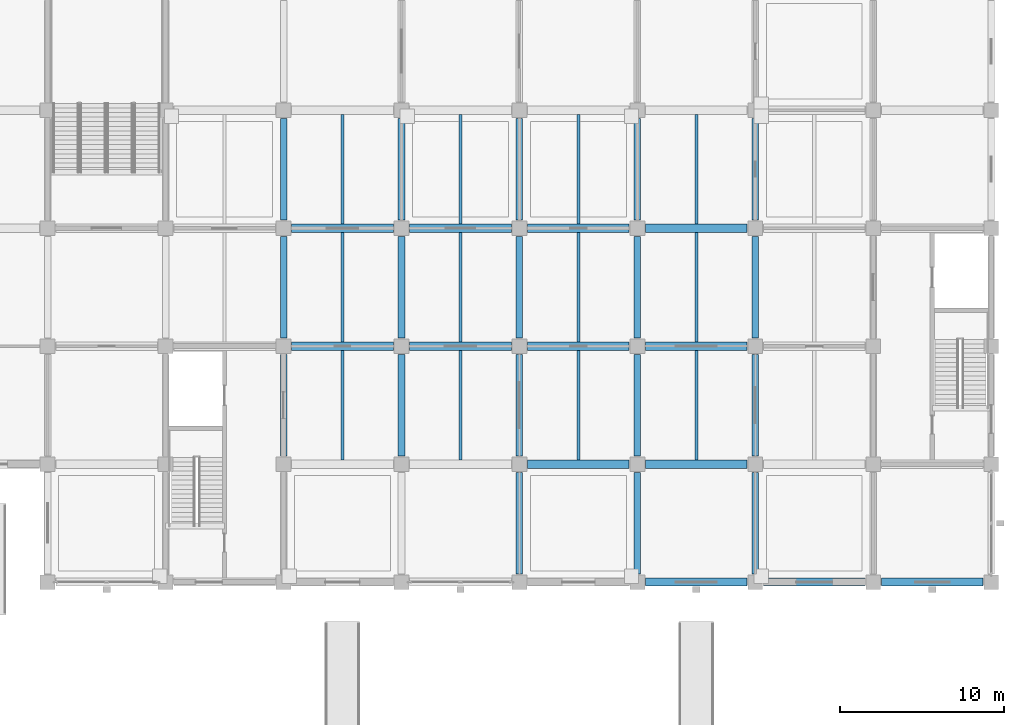
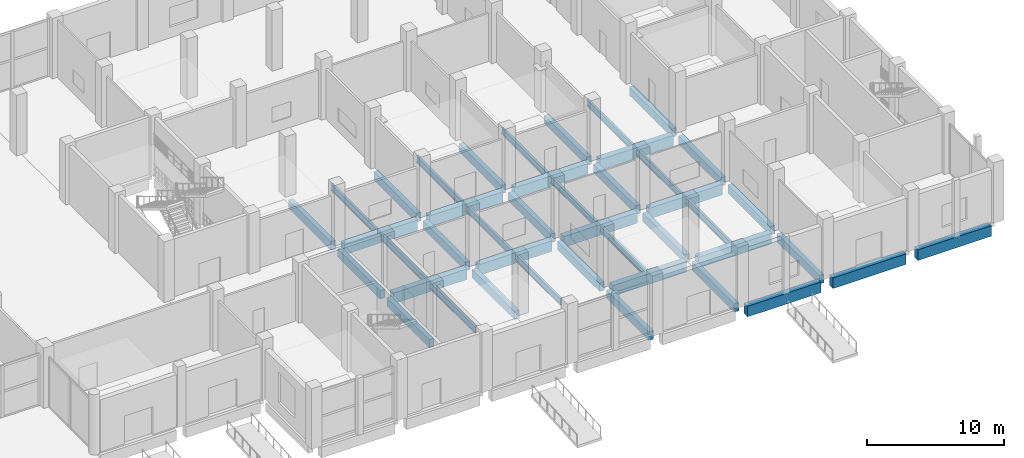
# One storey, part 34 of 70: 43 beams.
"""IFC4 building model written with IfcOpenShell, lengths in metres."""

from ifc_helpers import new_model, si_unit, direction, frame, origin, origin_2d, place, context, subcontext, project, spatial, rectangle, i_section, extrude, material, material_profile, profile_set, type_object, element, save


model = new_model("IFC4")

# Units and contexts
model_context = context("Model", 3, precision=1e-05, world=origin(), true_north=direction((0.0, 1.0)))
body_context = subcontext(model_context, "Body", "Model", "MODEL_VIEW")
ifc_project = project(units=[si_unit("LENGTHUNIT", "METRE"), si_unit("AREAUNIT", "SQUARE_METRE"), si_unit("VOLUMEUNIT", "CUBIC_METRE"), si_unit("PLANEANGLEUNIT", "RADIAN"), si_unit("MASSUNIT", "GRAM", prefix="KILO")], contexts=[model_context])

# Site, building, storey
site_placement = place(None, origin())
site = spatial("IfcSite", under=ifc_project, at=site_placement, CompositionType="ELEMENT")
building_placement = place(site_placement, origin())
building = spatial("IfcBuilding", under=site, at=building_placement, Name="Vesperath Aquatics Centre", CompositionType="ELEMENT")
storey_placement = place(building_placement, origin())
storey = spatial("IfcBuildingStorey", under=building, at=storey_placement, Name="L00", CompositionType="ELEMENT", Elevation=0.0)

# Beams
ifc_material_1 = material(Name="Concrete C40", Category="concrete")
ifc_material_profile_1 = material_profile(ifc_material_1, rectangle(XDim=0.5, YDim=0.949951171875, at=origin_2d()), Name="RC 500x950")
ifc_profile_set_1 = profile_set([ifc_material_profile_1], Name="Concrete C40")
beam_type_1 = type_object("IfcBeamType", Name="BM-G02", PredefinedType="BEAM", material=ifc_profile_set_1)
for number, where, z_axis, x_axis, name in (
    (1, (130.10009765625, 14.39990234375, -0.7548828125), (1.0, 0.0, 0.0), (0.0, 1.0, 0.0), "Floor Girder B02 L00 C 19-20"),
    (2, (130.10009765625, 21.60009765625, -0.7548828125), (1.0, 0.0, 0.0), (0.0, 1.0, 0.0), "Floor Girder B02 L00 D 19-20"),
    (3, (137.300048828125, 14.39990234375, -0.7548828125), (1.0, 0.0, 0.0), (0.0, 1.0, 0.0), "Floor Girder B02 L00 C 20-21"),
    (4, (137.300048828125, 21.60009765625, -0.7548828125), (1.0, 0.0, 0.0), (0.0, 1.0, 0.0), "Floor Girder B02 L00 D 20-21"),
    (5, (144.5, 7.199951171875, -0.7548828125), (1.0, 0.0, 0.0), (0.0, 1.0, 0.0), "Floor Girder B02 L00 B 21-22"),
    (6, (144.5, 14.39990234375, -0.7548828125), (1.0, 0.0, 0.0), (0.0, 1.0, 0.0), "Floor Girder B02 L00 C 21-22"),
    (7, (144.5, 21.60009765625, -0.7548828125), (1.0, 0.0, 0.0), (0.0, 1.0, 0.0), "Floor Girder B02 L00 D 21-22"),
    (8, (151.699951171875, 0.0, -0.7548828125), (1.0, 0.0, 0.0), (0.0, 1.0, 0.0), "Floor Girder B02 L00 A 22-23"),
    (9, (151.699951171875, 7.199951171875, -0.7548828125), (1.0, 0.0, 0.0), (0.0, 1.0, 0.0), "Floor Girder B02 L00 B 22-23"),
    (10, (151.699951171875, 14.39990234375, -0.7548828125), (1.0, 0.0, 0.0), (0.0, 1.0, 0.0), "Floor Girder B02 L00 C 22-23"),
    (11, (151.699951171875, 21.60009765625, -0.7548828125), (1.0, 0.0, 0.0), (0.0, 1.0, 0.0), "Floor Girder B02 L00 D 22-23"),
):
    element("IfcBeam", number, at=place(storey_placement, frame(where, z_axis=z_axis, x_axis=x_axis)), inside=storey, type_object=beam_type_1, Name=name, PredefinedType="BEAM", context=body_context, shape_type="SweptSolid", body=[
        extrude(rectangle(XDim=0.5, YDim=0.949951171875, at=origin_2d()), origin(), (0.0, 0.0, 1.0), 6.199951171875),
    ])
beam_1_placement = place(storey_placement, frame((158.89990234375, 0.0, -0.7548828125), z_axis=(1.0, 0.0, 0.0), x_axis=(0.0, 1.0, 0.0)))
element("IfcBeam", 12, at=beam_1_placement, inside=storey, type_object=beam_type_1, Name="Floor Girder B02 L00 A 23-24", PredefinedType="BEAM", context=body_context, shape_type="SweptSolid", body=[
    extrude(rectangle(XDim=0.5, YDim=0.949951171875, at=origin_2d()), origin(), (0.0, 0.0, 1.0), 6.2001953125),
])
beam_2_placement = place(storey_placement, frame((166.10009765625, 0.0, -0.7548828125), z_axis=(1.0, 0.0, 0.0), x_axis=(0.0, 1.0, 0.0)))
element("IfcBeam", 13, at=beam_2_placement, inside=storey, type_object=beam_type_1, Name="Floor Girder B02 L00 A 24-25", PredefinedType="BEAM", context=body_context, shape_type="SweptSolid", body=[
    extrude(rectangle(XDim=0.5, YDim=0.949951171875, at=origin_2d()), origin(), (0.0, 0.0, 1.0), 6.199951171875),
])
ifc_material_2 = material(Name="Concrete C35", Category="concrete")
ifc_material_profile_2 = material_profile(ifc_material_2, rectangle(XDim=0.39990234375, YDim=0.75, at=origin_2d()), Name="RC 400x750")
ifc_profile_set_2 = profile_set([ifc_material_profile_2], Name="Concrete C35")
beam_type_2 = type_object("IfcBeamType", Name="BM-G04", PredefinedType="BEAM", material=ifc_profile_set_2)
beam_3_placement = place(storey_placement, frame((129.60009765625, 7.699951171875, -0.655029296875), z_axis=(0.0, 1.0, 0.0), x_axis=(-1.0, 0.0, 0.0)))
element("IfcBeam", 14, at=beam_3_placement, inside=storey, type_object=beam_type_2, Name="Floor Girder B04 L00 19 B-C", PredefinedType="BEAM", context=body_context, shape_type="SweptSolid", body=[
    extrude(rectangle(XDim=0.39990234375, YDim=0.75, at=origin_2d()), origin(), (0.0, 0.0, 1.0), 6.199951171875),
])
beam_4_placement = place(storey_placement, frame((129.60009765625, 14.89990234375, -0.655029296875), z_axis=(0.0, 1.0, 0.0), x_axis=(-1.0, 0.0, 0.0)))
element("IfcBeam", 15, at=beam_4_placement, inside=storey, type_object=beam_type_2, Name="Floor Girder B04 L00 19 C-D", PredefinedType="BEAM", context=body_context, shape_type="SweptSolid", body=[
    extrude(rectangle(XDim=0.39990234375, YDim=0.75, at=origin_2d()), origin(), (0.0, 0.0, 1.0), 6.2001953125),
])
for number, where, z_axis, x_axis, name in (
    (16, (129.60009765625, 22.10009765625, -0.655029296875), (0.0, 1.0, 0.0), (-1.0, 0.0, 0.0), "Floor Girder B04 L00 19 D-E"),
    (17, (136.800048828125, 7.699951171875, -0.655029296875), (0.0, 1.0, 0.0), (-1.0, 0.0, 0.0), "Floor Girder B04 L00 20 B-C"),
):
    element("IfcBeam", number, at=place(storey_placement, frame(where, z_axis=z_axis, x_axis=x_axis)), inside=storey, type_object=beam_type_2, Name=name, PredefinedType="BEAM", context=body_context, shape_type="SweptSolid", body=[
        extrude(rectangle(XDim=0.39990234375, YDim=0.75, at=origin_2d()), origin(), (0.0, 0.0, 1.0), 6.199951171875),
    ])
beam_5_placement = place(storey_placement, frame((136.800048828125, 14.89990234375, -0.655029296875), z_axis=(0.0, 1.0, 0.0), x_axis=(-1.0, 0.0, 0.0)))
element("IfcBeam", 18, at=beam_5_placement, inside=storey, type_object=beam_type_2, Name="Floor Girder B04 L00 20 C-D", PredefinedType="BEAM", context=body_context, shape_type="SweptSolid", body=[
    extrude(rectangle(XDim=0.39990234375, YDim=0.75, at=origin_2d()), origin(), (0.0, 0.0, 1.0), 6.2001953125),
])
for number, where, z_axis, x_axis, name in (
    (19, (136.800048828125, 22.10009765625, -0.655029296875), (0.0, 1.0, 0.0), (-1.0, 0.0, 0.0), "Floor Girder B04 L00 20 D-E"),
    (20, (144.0, 0.5, -0.655029296875), (0.0, 1.0, 0.0), (-1.0, 0.0, 0.0), "Floor Girder B04 L00 21 A-B"),
    (21, (144.0, 7.699951171875, -0.655029296875), (0.0, 1.0, 0.0), (-1.0, 0.0, 0.0), "Floor Girder B04 L00 21 B-C"),
):
    element("IfcBeam", number, at=place(storey_placement, frame(where, z_axis=z_axis, x_axis=x_axis)), inside=storey, type_object=beam_type_2, Name=name, PredefinedType="BEAM", context=body_context, shape_type="SweptSolid", body=[
        extrude(rectangle(XDim=0.39990234375, YDim=0.75, at=origin_2d()), origin(), (0.0, 0.0, 1.0), 6.199951171875),
    ])
beam_6_placement = place(storey_placement, frame((144.0, 14.89990234375, -0.655029296875), z_axis=(0.0, 1.0, 0.0), x_axis=(-1.0, 0.0, 0.0)))
element("IfcBeam", 22, at=beam_6_placement, inside=storey, type_object=beam_type_2, Name="Floor Girder B04 L00 21 C-D", PredefinedType="BEAM", context=body_context, shape_type="SweptSolid", body=[
    extrude(rectangle(XDim=0.39990234375, YDim=0.75, at=origin_2d()), origin(), (0.0, 0.0, 1.0), 6.2001953125),
])
for number, where, z_axis, x_axis, name in (
    (23, (144.0, 22.10009765625, -0.655029296875), (0.0, 1.0, 0.0), (-1.0, 0.0, 0.0), "Floor Girder B04 L00 21 D-E"),
    (24, (151.199951171875, 0.5, -0.655029296875), (0.0, 1.0, 0.0), (-1.0, 0.0, 0.0), "Floor Girder B04 L00 22 A-B"),
    (25, (151.199951171875, 7.699951171875, -0.655029296875), (0.0, 1.0, 0.0), (-1.0, 0.0, 0.0), "Floor Girder B04 L00 22 B-C"),
):
    element("IfcBeam", number, at=place(storey_placement, frame(where, z_axis=z_axis, x_axis=x_axis)), inside=storey, type_object=beam_type_2, Name=name, PredefinedType="BEAM", context=body_context, shape_type="SweptSolid", body=[
        extrude(rectangle(XDim=0.39990234375, YDim=0.75, at=origin_2d()), origin(), (0.0, 0.0, 1.0), 6.199951171875),
    ])
beam_7_placement = place(storey_placement, frame((151.199951171875, 14.89990234375, -0.655029296875), z_axis=(0.0, 1.0, 0.0), x_axis=(-1.0, 0.0, 0.0)))
element("IfcBeam", 26, at=beam_7_placement, inside=storey, type_object=beam_type_2, Name="Floor Girder B04 L00 22 C-D", PredefinedType="BEAM", context=body_context, shape_type="SweptSolid", body=[
    extrude(rectangle(XDim=0.39990234375, YDim=0.75, at=origin_2d()), origin(), (0.0, 0.0, 1.0), 6.2001953125),
])
for number, where, z_axis, x_axis, name in (
    (27, (151.199951171875, 22.10009765625, -0.655029296875), (0.0, 1.0, 0.0), (-1.0, 0.0, 0.0), "Floor Girder B04 L00 22 D-E"),
    (28, (158.39990234375, 0.5, -0.655029296875), (0.0, 1.0, 0.0), (-1.0, 0.0, 0.0), "Floor Girder B04 L00 23 A-B"),
    (29, (158.39990234375, 7.699951171875, -0.655029296875), (0.0, 1.0, 0.0), (-1.0, 0.0, 0.0), "Floor Girder B04 L00 23 B-C"),
):
    element("IfcBeam", number, at=place(storey_placement, frame(where, z_axis=z_axis, x_axis=x_axis)), inside=storey, type_object=beam_type_2, Name=name, PredefinedType="BEAM", context=body_context, shape_type="SweptSolid", body=[
        extrude(rectangle(XDim=0.39990234375, YDim=0.75, at=origin_2d()), origin(), (0.0, 0.0, 1.0), 6.199951171875),
    ])
beam_8_placement = place(storey_placement, frame((158.39990234375, 14.89990234375, -0.655029296875), z_axis=(0.0, 1.0, 0.0), x_axis=(-1.0, 0.0, 0.0)))
element("IfcBeam", 30, at=beam_8_placement, inside=storey, type_object=beam_type_2, Name="Floor Girder B04 L00 23 C-D", PredefinedType="BEAM", context=body_context, shape_type="SweptSolid", body=[
    extrude(rectangle(XDim=0.39990234375, YDim=0.75, at=origin_2d()), origin(), (0.0, 0.0, 1.0), 6.2001953125),
])
beam_9_placement = place(storey_placement, frame((158.39990234375, 22.10009765625, -0.655029296875), z_axis=(0.0, 1.0, 0.0), x_axis=(-1.0, 0.0, 0.0)))
element("IfcBeam", 31, at=beam_9_placement, inside=storey, type_object=beam_type_2, Name="Floor Girder B04 L00 23 D-E", PredefinedType="BEAM", context=body_context, shape_type="SweptSolid", body=[
    extrude(rectangle(XDim=0.39990234375, YDim=0.75, at=origin_2d()), origin(), (0.0, 0.0, 1.0), 6.199951171875),
])
ifc_material_3 = material(Name="Steel Q355C", Category="steel")
ifc_material_profile_3 = material_profile(ifc_material_3, i_section(OverallWidth=0.199951171875, OverallDepth=0.60009765625, WebThickness=0.010986328125, FlangeThickness=0.01708984375, FilletRadius=0.02197265625, at=origin_2d()), Name="HN 600x200x11x17")
ifc_profile_set_3 = profile_set([ifc_material_profile_3], Name="Steel Q355C")
beam_type_3 = type_object("IfcBeamType", Name="BM-J01", PredefinedType="JOIST", material=ifc_profile_set_3)
beam_10_placement = place(storey_placement, frame((133.199951171875, 7.449951171875, -0.580078125), z_axis=(0.0, 1.0, 0.0), x_axis=(-1.0, 0.0, 0.0)))
element("IfcBeam", 32, at=beam_10_placement, inside=storey, type_object=beam_type_3, Name="Secondary Floor Joist J01 L00 19/B", PredefinedType="JOIST", context=body_context, shape_type="SweptSolid", body=[
    extrude(i_section(OverallWidth=0.199951171875, OverallDepth=0.60009765625, WebThickness=0.010986328125, FlangeThickness=0.01708984375, FilletRadius=0.02197265625, at=origin_2d()), origin(), (0.0, 0.0, 1.0), 6.699951171875),
])
beam_11_placement = place(storey_placement, frame((133.199951171875, 14.64990234375, -0.580078125), z_axis=(0.0, 1.0, 0.0), x_axis=(-1.0, 0.0, 0.0)))
element("IfcBeam", 33, at=beam_11_placement, inside=storey, type_object=beam_type_3, Name="Secondary Floor Joist J01 L00 19/C", PredefinedType="JOIST", context=body_context, shape_type="SweptSolid", body=[
    extrude(i_section(OverallWidth=0.199951171875, OverallDepth=0.60009765625, WebThickness=0.010986328125, FlangeThickness=0.01708984375, FilletRadius=0.02197265625, at=origin_2d()), origin(), (0.0, 0.0, 1.0), 6.7001953125),
])
for number, where, z_axis, x_axis, name in (
    (34, (133.199951171875, 21.85009765625, -0.580078125), (0.0, 1.0, 0.0), (-1.0, 0.0, 0.0), "Secondary Floor Joist J01 L00 19/D"),
    (35, (140.39990234375, 7.449951171875, -0.580078125), (0.0, 1.0, 0.0), (-1.0, 0.0, 0.0), "Secondary Floor Joist J01 L00 20/B"),
):
    element("IfcBeam", number, at=place(storey_placement, frame(where, z_axis=z_axis, x_axis=x_axis)), inside=storey, type_object=beam_type_3, Name=name, PredefinedType="JOIST", context=body_context, shape_type="SweptSolid", body=[
        extrude(i_section(OverallWidth=0.199951171875, OverallDepth=0.60009765625, WebThickness=0.010986328125, FlangeThickness=0.01708984375, FilletRadius=0.02197265625, at=origin_2d()), origin(), (0.0, 0.0, 1.0), 6.699951171875),
    ])
beam_12_placement = place(storey_placement, frame((140.39990234375, 14.64990234375, -0.580078125), z_axis=(0.0, 1.0, 0.0), x_axis=(-1.0, 0.0, 0.0)))
element("IfcBeam", 36, at=beam_12_placement, inside=storey, type_object=beam_type_3, Name="Secondary Floor Joist J01 L00 20/C", PredefinedType="JOIST", context=body_context, shape_type="SweptSolid", body=[
    extrude(i_section(OverallWidth=0.199951171875, OverallDepth=0.60009765625, WebThickness=0.010986328125, FlangeThickness=0.01708984375, FilletRadius=0.02197265625, at=origin_2d()), origin(), (0.0, 0.0, 1.0), 6.7001953125),
])
for number, where, z_axis, x_axis, name in (
    (37, (140.39990234375, 21.85009765625, -0.580078125), (0.0, 1.0, 0.0), (-1.0, 0.0, 0.0), "Secondary Floor Joist J01 L00 20/D"),
    (38, (147.60009765625, 7.449951171875, -0.580078125), (0.0, 1.0, 0.0), (-1.0, 0.0, 0.0), "Secondary Floor Joist J01 L00 21/B"),
):
    element("IfcBeam", number, at=place(storey_placement, frame(where, z_axis=z_axis, x_axis=x_axis)), inside=storey, type_object=beam_type_3, Name=name, PredefinedType="JOIST", context=body_context, shape_type="SweptSolid", body=[
        extrude(i_section(OverallWidth=0.199951171875, OverallDepth=0.60009765625, WebThickness=0.010986328125, FlangeThickness=0.01708984375, FilletRadius=0.02197265625, at=origin_2d()), origin(), (0.0, 0.0, 1.0), 6.699951171875),
    ])
beam_13_placement = place(storey_placement, frame((147.60009765625, 14.64990234375, -0.580078125), z_axis=(0.0, 1.0, 0.0), x_axis=(-1.0, 0.0, 0.0)))
element("IfcBeam", 39, at=beam_13_placement, inside=storey, type_object=beam_type_3, Name="Secondary Floor Joist J01 L00 21/C", PredefinedType="JOIST", context=body_context, shape_type="SweptSolid", body=[
    extrude(i_section(OverallWidth=0.199951171875, OverallDepth=0.60009765625, WebThickness=0.010986328125, FlangeThickness=0.01708984375, FilletRadius=0.02197265625, at=origin_2d()), origin(), (0.0, 0.0, 1.0), 6.7001953125),
])
for number, where, z_axis, x_axis, name in (
    (40, (147.60009765625, 21.85009765625, -0.580078125), (0.0, 1.0, 0.0), (-1.0, 0.0, 0.0), "Secondary Floor Joist J01 L00 21/D"),
    (41, (154.800048828125, 7.449951171875, -0.580078125), (0.0, 1.0, 0.0), (-1.0, 0.0, 0.0), "Secondary Floor Joist J01 L00 22/B"),
):
    element("IfcBeam", number, at=place(storey_placement, frame(where, z_axis=z_axis, x_axis=x_axis)), inside=storey, type_object=beam_type_3, Name=name, PredefinedType="JOIST", context=body_context, shape_type="SweptSolid", body=[
        extrude(i_section(OverallWidth=0.199951171875, OverallDepth=0.60009765625, WebThickness=0.010986328125, FlangeThickness=0.01708984375, FilletRadius=0.02197265625, at=origin_2d()), origin(), (0.0, 0.0, 1.0), 6.699951171875),
    ])
beam_14_placement = place(storey_placement, frame((154.800048828125, 14.64990234375, -0.580078125), z_axis=(0.0, 1.0, 0.0), x_axis=(-1.0, 0.0, 0.0)))
element("IfcBeam", 42, at=beam_14_placement, inside=storey, type_object=beam_type_3, Name="Secondary Floor Joist J01 L00 22/C", PredefinedType="JOIST", context=body_context, shape_type="SweptSolid", body=[
    extrude(i_section(OverallWidth=0.199951171875, OverallDepth=0.60009765625, WebThickness=0.010986328125, FlangeThickness=0.01708984375, FilletRadius=0.02197265625, at=origin_2d()), origin(), (0.0, 0.0, 1.0), 6.7001953125),
])
beam_15_placement = place(storey_placement, frame((154.800048828125, 21.85009765625, -0.580078125), z_axis=(0.0, 1.0, 0.0), x_axis=(-1.0, 0.0, 0.0)))
element("IfcBeam", 43, at=beam_15_placement, inside=storey, type_object=beam_type_3, Name="Secondary Floor Joist J01 L00 22/D", PredefinedType="JOIST", context=body_context, shape_type="SweptSolid", body=[
    extrude(i_section(OverallWidth=0.199951171875, OverallDepth=0.60009765625, WebThickness=0.010986328125, FlangeThickness=0.01708984375, FilletRadius=0.02197265625, at=origin_2d()), origin(), (0.0, 0.0, 1.0), 6.699951171875),
])

save(model, "model.ifc")
